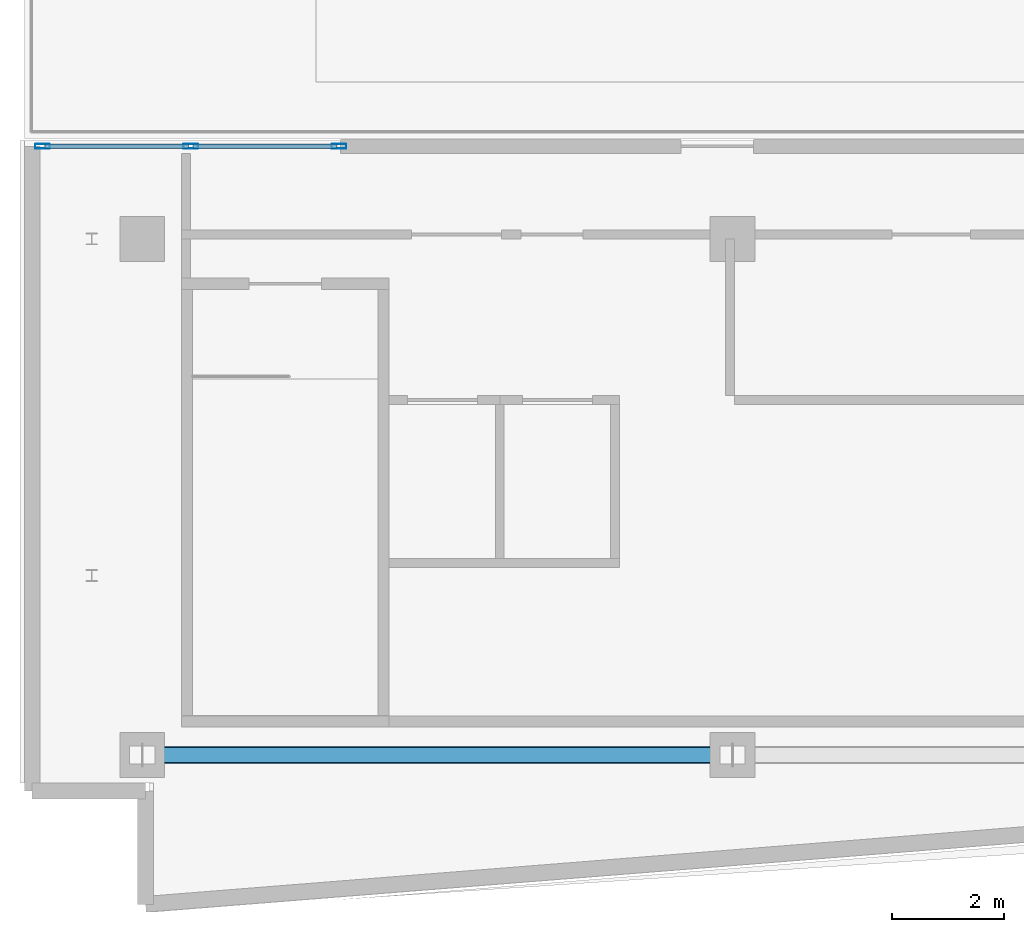
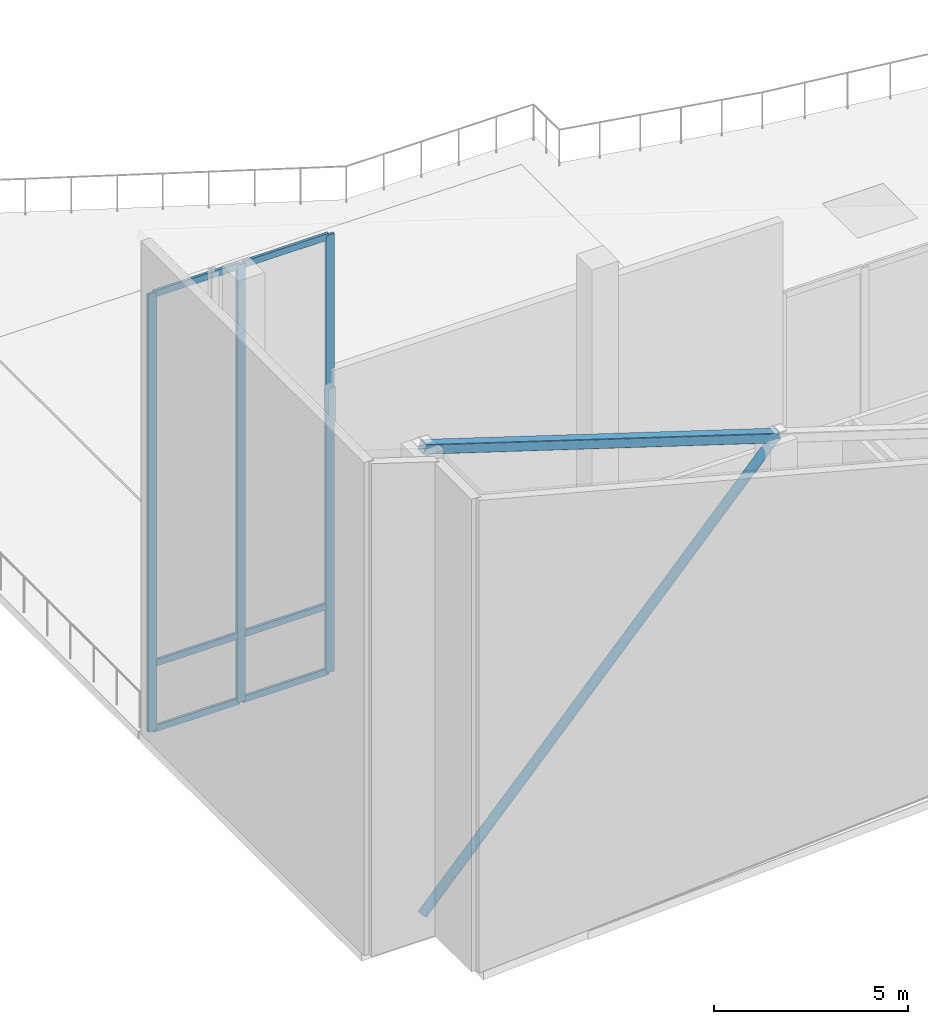
# One storey, part 3 of 9: 11 members, 1 element without a shape of its own.
"""IFC4 building model written with IfcOpenShell, lengths in metres."""

from ifc_helpers import new_model, si_unit, direction, frame, origin, origin_2d, place, context, subcontext, project, spatial, hollow_rectangle, hollow_circle, extrude, material, layer, layer_set, material_profile, profile_set, type_object, element, aggregate, save


model = new_model("IFC4")

# Units and contexts
model_context = context("Model", 3, precision=1e-05, world=origin(), true_north=direction((0.0, 1.0)))
body_context = subcontext(model_context, "Body", "Model", "MODEL_VIEW")
ifc_project = project(units=[si_unit("LENGTHUNIT", "METRE"), si_unit("AREAUNIT", "SQUARE_METRE"), si_unit("VOLUMEUNIT", "CUBIC_METRE"), si_unit("PLANEANGLEUNIT", "RADIAN"), si_unit("MASSUNIT", "GRAM", prefix="KILO")], contexts=[model_context])

# Site, building, storey
site_placement = place(None, origin())
site = spatial("IfcSite", under=ifc_project, at=site_placement, CompositionType="ELEMENT")
building_placement = place(site_placement, origin())
building = spatial("IfcBuilding", under=site, at=building_placement, Name="Varnakote Quay Hospital", CompositionType="ELEMENT")
storey_placement = place(building_placement, frame((0.0, 0.0, 309.199951171875)))
storey = spatial("IfcBuildingStorey", under=building, at=storey_placement, Name="RF", CompositionType="ELEMENT", Elevation=309.199951171875)

# Curtain wall, members
ifc_material_1 = material(Name="Anodised aluminium 6063-T6 Bronze", Category="aluminium")
ifc_layer = layer(ifc_material_1, 0.25)
ifc_layer_set = layer_set([ifc_layer], Name="Anodised aluminium 6063-T6 Bronze")
curtain_wall_type = type_object("IfcCurtainWallType", Name="CW-SYS-6", PredefinedType="NOTDEFINED", material=ifc_layer_set)
curtain_wall_placement = place(storey_placement, origin())
curtain_wall = element("IfcCurtainWall", 1, at=curtain_wall_placement, inside=storey, type_object=curtain_wall_type, Name="RF Slanted-Cut Crown Curtain Wall 149", PredefinedType="NOTDEFINED")
ifc_material_2 = material(Name="Anodised aluminium 6063-T6 Bronze", Category="aluminium")
ifc_material_profile_1 = material_profile(ifc_material_2, hollow_rectangle(XDim=0.0849609375, YDim=0.260009765625, WallThickness=0.0048828125, InnerFilletRadius=0.0048828125, OuterFilletRadius=0.010009765625, at=origin_2d()), Name="CW-MULL-260x85")
ifc_profile_set_1 = profile_set([ifc_material_profile_1], Name="Anodised aluminium 6063-T6 Bronze")
member_type_1 = type_object("IfcMemberType", Name="CW-MULL-260x85", PredefinedType="MULLION", material=ifc_profile_set_1)
member_1_placement = place(storey_placement, frame((0.322509765625, 13.64990234375, 0.0), z_axis=(0.0, 0.0, 1.0), x_axis=(0.0, 1.0, 0.0)))
member_1 = element("IfcMember", 2, at=member_1_placement, type_object=member_type_1, Name="CW6-RF-149 mullion 1", PredefinedType="MULLION", context=body_context, shape_type="SweptSolid", body=[
    extrude(hollow_rectangle(XDim=0.0849609375, YDim=0.260009765625, WallThickness=0.0048828125, InnerFilletRadius=0.0048828125, OuterFilletRadius=0.010009765625, at=origin_2d()), origin(), (0.0, 0.0, 1.0), 13.754150390625),
])
member_2_placement = place(storey_placement, frame((2.965087890625, 13.64990234375, 0.0), z_axis=(0.0, 0.0, 1.0), x_axis=(0.0, 1.0, 0.0)))
member_2 = element("IfcMember", 3, at=member_2_placement, type_object=member_type_1, Name="CW6-RF-149 mullion 2", PredefinedType="MULLION", context=body_context, shape_type="SweptSolid", body=[
    extrude(hollow_rectangle(XDim=0.0849609375, YDim=0.260009765625, WallThickness=0.0048828125, InnerFilletRadius=0.0048828125, OuterFilletRadius=0.010009765625, at=origin_2d()), origin(), (0.0, 0.0, 1.0), 13.754150390625),
])
member_3_placement = place(storey_placement, frame((5.607421875, 13.64990234375, 0.0), z_axis=(0.0, 0.0, 1.0), x_axis=(0.0, 1.0, 0.0)))
member_3 = element("IfcMember", 4, at=member_3_placement, type_object=member_type_1, Name="CW6-RF-149 mullion 3", PredefinedType="MULLION", context=body_context, shape_type="SweptSolid", body=[
    extrude(hollow_rectangle(XDim=0.0849609375, YDim=0.260009765625, WallThickness=0.0048828125, InnerFilletRadius=0.0048828125, OuterFilletRadius=0.010009765625, at=origin_2d()), origin(), (0.0, 0.0, 1.0), 13.754150390625),
])
ifc_material_3 = material(Name="Anodised aluminium 6063-T6 Bronze", Category="aluminium")
ifc_material_profile_2 = material_profile(ifc_material_3, hollow_rectangle(XDim=0.0849609375, YDim=0.2099609375, WallThickness=0.00439453125, InnerFilletRadius=0.00439453125, OuterFilletRadius=0.009033203125, at=origin_2d()), Name="CW-TRAN-210x85")
ifc_profile_set_2 = profile_set([ifc_material_profile_2], Name="Anodised aluminium 6063-T6 Bronze")
member_type_2 = type_object("IfcMemberType", Name="CW-TRAN-210x85", PredefinedType="USERDEFINED", material=ifc_profile_set_2)
member_4_placement = place(storey_placement, frame((0.364990234375, 13.64990234375, 0.04248046875), z_axis=(1.0, 0.0, 0.0), x_axis=(0.0, 1.0, 0.0)))
member_4 = element("IfcMember", 5, at=member_4_placement, type_object=member_type_2, Name="CW6-RF-149 transom 1.1", ObjectType="TRANSOM", PredefinedType="USERDEFINED", context=body_context, shape_type="SweptSolid", body=[
    extrude(hollow_rectangle(XDim=0.0849609375, YDim=0.2099609375, WallThickness=0.00439453125, InnerFilletRadius=0.00439453125, OuterFilletRadius=0.009033203125, at=origin_2d()), origin(), (0.0, 0.0, 1.0), 2.5576171875),
])
member_5_placement = place(storey_placement, frame((0.364990234375, 13.64990234375, 2.10009765625), z_axis=(1.0, 0.0, 0.0), x_axis=(0.0, 1.0, 0.0)))
member_5 = element("IfcMember", 6, at=member_5_placement, type_object=member_type_2, Name="CW6-RF-149 transom 1.2", ObjectType="TRANSOM", PredefinedType="USERDEFINED", context=body_context, shape_type="SweptSolid", body=[
    extrude(hollow_rectangle(XDim=0.0849609375, YDim=0.2099609375, WallThickness=0.00439453125, InnerFilletRadius=0.00439453125, OuterFilletRadius=0.009033203125, at=origin_2d()), origin(), (0.0, 0.0, 1.0), 2.5576171875),
])
member_6_placement = place(storey_placement, frame((0.364990234375, 13.64990234375, 13.711669921875), z_axis=(1.0, 0.0, 0.0), x_axis=(0.0, 1.0, 0.0)))
member_6 = element("IfcMember", 7, at=member_6_placement, type_object=member_type_2, Name="CW6-RF-149 transom 1.3", ObjectType="TRANSOM", PredefinedType="USERDEFINED", context=body_context, shape_type="SweptSolid", body=[
    extrude(hollow_rectangle(XDim=0.0849609375, YDim=0.2099609375, WallThickness=0.00439453125, InnerFilletRadius=0.00439453125, OuterFilletRadius=0.009033203125, at=origin_2d()), origin(), (0.0, 0.0, 1.0), 2.5576171875),
])
member_7_placement = place(storey_placement, frame((3.007568359375, 13.64990234375, 0.04248046875), z_axis=(1.0, 0.0, 0.0), x_axis=(0.0, 1.0, 0.0)))
member_7 = element("IfcMember", 8, at=member_7_placement, type_object=member_type_2, Name="CW6-RF-149 transom 2.1", ObjectType="TRANSOM", PredefinedType="USERDEFINED", context=body_context, shape_type="SweptSolid", body=[
    extrude(hollow_rectangle(XDim=0.0849609375, YDim=0.2099609375, WallThickness=0.00439453125, InnerFilletRadius=0.00439453125, OuterFilletRadius=0.009033203125, at=origin_2d()), origin(), (0.0, 0.0, 1.0), 2.557373046875),
])
member_8_placement = place(storey_placement, frame((3.007568359375, 13.64990234375, 2.10009765625), z_axis=(1.0, 0.0, 0.0), x_axis=(0.0, 1.0, 0.0)))
member_8 = element("IfcMember", 9, at=member_8_placement, type_object=member_type_2, Name="CW6-RF-149 transom 2.2", ObjectType="TRANSOM", PredefinedType="USERDEFINED", context=body_context, shape_type="SweptSolid", body=[
    extrude(hollow_rectangle(XDim=0.0849609375, YDim=0.2099609375, WallThickness=0.00439453125, InnerFilletRadius=0.00439453125, OuterFilletRadius=0.009033203125, at=origin_2d()), origin(), (0.0, 0.0, 1.0), 2.557373046875),
])
member_9_placement = place(storey_placement, frame((3.007568359375, 13.64990234375, 13.711669921875), z_axis=(1.0, 0.0, 0.0), x_axis=(0.0, 1.0, 0.0)))
member_9 = element("IfcMember", 10, at=member_9_placement, type_object=member_type_2, Name="CW6-RF-149 transom 2.3", ObjectType="TRANSOM", PredefinedType="USERDEFINED", context=body_context, shape_type="SweptSolid", body=[
    extrude(hollow_rectangle(XDim=0.0849609375, YDim=0.2099609375, WallThickness=0.00439453125, InnerFilletRadius=0.00439453125, OuterFilletRadius=0.009033203125, at=origin_2d()), origin(), (0.0, 0.0, 1.0), 2.557373046875),
])
aggregate(curtain_wall, [member_1, member_2, member_3, member_4, member_5, member_6, member_7, member_8, member_9])

# Members
ifc_material_4 = material(Name="Structural steel AS/NZS 1163 Grade 350 C350L0 (fy 350 MPa)", Category="steel")
ifc_material_profile_3 = material_profile(ifc_material_4, hollow_circle(Radius=0.136474609375, WallThickness=0.00927734375, at=origin_2d()), Name="273.1x9.3CHS")
ifc_profile_set_3 = profile_set([ifc_material_profile_3], Name="Structural steel AS/NZS 1163 Grade 350 C350L0 (fy 350 MPa)")
member_type_3 = type_object("IfcMemberType", Name="MBR-BRC-273-1x9-3CHS", PredefinedType="BRACE", material=ifc_profile_set_3)
member_10_placement = place(storey_placement, frame((2.10009765625, 2.800048828125, 0.179931640625), z_axis=(0.679425324416, 0.0, 0.733744661678), x_axis=(0.0, 1.0, 0.0)))
element("IfcMember", 11, at=member_10_placement, inside=storey, type_object=member_type_3, Name="Slanted-Cut CROWN FRAME Diagonal Brace", PredefinedType="BRACE", context=body_context, shape_type="SweptSolid", body=[
    extrude(hollow_circle(Radius=0.136474609375, WallThickness=0.00927734375, at=origin_2d()), origin(), (0.0, 0.0, 1.0), 15.483642578125),
])
ifc_material_5 = material(Name="Structural steel AS/NZS 1163 Grade 350 C350L0 (fy 350 MPa)", Category="steel")
ifc_material_profile_4 = material_profile(ifc_material_5, hollow_rectangle(XDim=0.300048828125, YDim=0.300048828125, WallThickness=0.01611328125, InnerFilletRadius=0.01611328125, OuterFilletRadius=0.031982421875, at=origin_2d()), Name="300x300x16.0SHS")
ifc_profile_set_4 = profile_set([ifc_material_profile_4], Name="Structural steel AS/NZS 1163 Grade 350 C350L0 (fy 350 MPa)")
member_type_4 = type_object("IfcMemberType", Name="MBR-CHD-300x300x16-0SHS", PredefinedType="CHORD", material=ifc_profile_set_4)
member_11_placement = place(storey_placement, frame((2.10009765625, 2.800048828125, 14.8662109375), z_axis=(0.953502367914, 0.0, -0.301385524507), x_axis=(0.0, 1.0, 0.0)))
element("IfcMember", 12, at=member_11_placement, inside=storey, type_object=member_type_4, Name="Slanted-Cut CROWN FRAME Raking Top Chord", PredefinedType="CHORD", context=body_context, shape_type="SweptSolid", body=[
    extrude(hollow_rectangle(XDim=0.300048828125, YDim=0.300048828125, WallThickness=0.01611328125, InnerFilletRadius=0.01611328125, OuterFilletRadius=0.031982421875, at=origin_2d()), origin(), (0.0, 0.0, 1.0), 11.032958984375),
])

save(model, "model.ifc")
